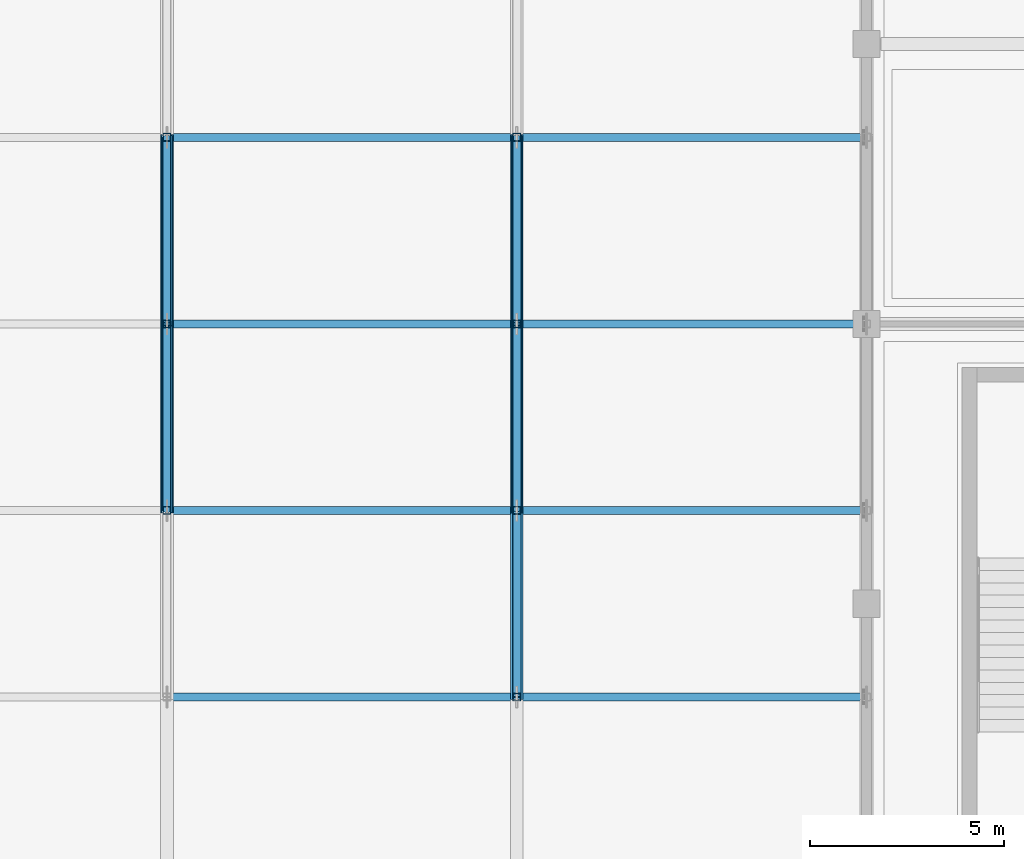
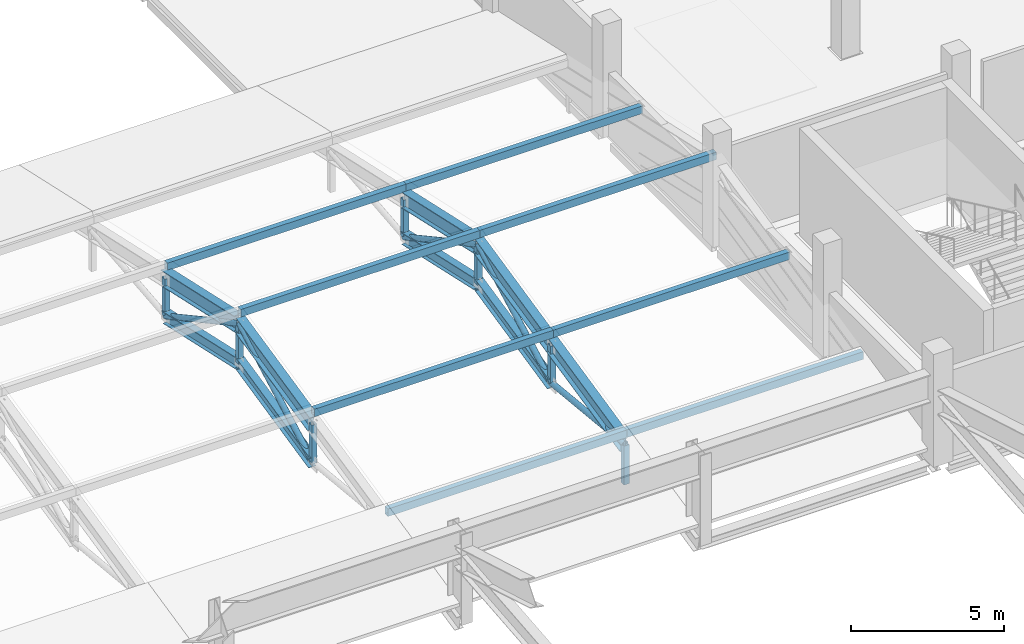
# One storey, part 25 of 151: 29 members.
"""IFC4 building model written with IfcOpenShell, lengths in metres."""

from ifc_helpers import new_model, si_unit, direction, frame, origin, origin_2d, place, context, subcontext, project, spatial, hollow_rectangle, hollow_circle, i_section, extrude, material, material_profile, profile_set, type_object, element, save


model = new_model("IFC4")

# Units and contexts
model_context = context("Model", 3, precision=1e-05, world=origin(), true_north=direction((0.0, 1.0)))
body_context = subcontext(model_context, "Body", "Model", "MODEL_VIEW")
ifc_project = project(units=[si_unit("LENGTHUNIT", "METRE"), si_unit("AREAUNIT", "SQUARE_METRE"), si_unit("VOLUMEUNIT", "CUBIC_METRE"), si_unit("PLANEANGLEUNIT", "RADIAN"), si_unit("MASSUNIT", "GRAM", prefix="KILO")], contexts=[model_context])

# Site, building, storey
site_placement = place(None, origin())
site = spatial("IfcSite", under=ifc_project, at=site_placement, CompositionType="ELEMENT")
building_placement = place(site_placement, origin())
building = spatial("IfcBuilding", under=site, at=building_placement, Name="Celestram Park Convention Centre", CompositionType="ELEMENT")
storey_placement = place(building_placement, frame((0.0, 0.0, 10.800048828125)))
storey = spatial("IfcBuildingStorey", under=building, at=storey_placement, Name="L02", CompositionType="ELEMENT", Elevation=10.800048828125)

# Members
ifc_material_1 = material(Name="Steel ASTM A500 Grade C", Category="steel")
ifc_material_profile_1 = material_profile(ifc_material_1, hollow_circle(Radius=0.109619140625, WallThickness=0.008056640625, at=origin_2d()), Name="CHS219X8")
ifc_profile_set_1 = profile_set([ifc_material_profile_1], Name="Steel ASTM A500 Grade C")
member_type_1 = type_object("IfcMemberType", Name="STR-BRC-CHS219", PredefinedType="BRACE", material=ifc_profile_set_1)
member_1_placement = place(storey_placement, frame((18.0, 117.60009765625, 0.34716796875), z_axis=(0.0, 0.878001368363, 0.478658121369), x_axis=(-1.0, 0.0, 0.0)))
element("IfcMember", 1, at=member_1_placement, inside=storey, type_object=member_type_1, Name="WPV arch web diagonal", PredefinedType="BRACE", context=body_context, shape_type="SweptSolid", body=[
    extrude(hollow_circle(Radius=0.109619140625, WallThickness=0.008056640625, at=origin_2d()), origin(), (0.0, 0.0, 1.0), 5.466796875),
])
member_2_placement = place(storey_placement, frame((18.0, 122.39990234375, 2.9638671875), z_axis=(0.0, 0.878011599809, -0.478639353377), x_axis=(-1.0, 0.0, 0.0)))
element("IfcMember", 2, at=member_2_placement, inside=storey, type_object=member_type_1, Name="WPV arch web diagonal", PredefinedType="BRACE", context=body_context, shape_type="SweptSolid", body=[
    extrude(hollow_circle(Radius=0.109619140625, WallThickness=0.008056640625, at=origin_2d()), origin(), (0.0, 0.0, 1.0), 5.467041015625),
])
member_3_placement = place(storey_placement, frame((27.0, 112.800048828125, 0.83056640625), z_axis=(0.0, 0.994967300399, -0.100200155373), x_axis=(-1.0, 0.0, 0.0)))
element("IfcMember", 3, at=member_3_placement, inside=storey, type_object=member_type_1, Name="WPV arch web diagonal", PredefinedType="BRACE", context=body_context, shape_type="SweptSolid", body=[
    extrude(hollow_circle(Radius=0.109619140625, WallThickness=0.008056640625, at=origin_2d()), origin(), (0.0, 0.0, 1.0), 4.82421875),
])
member_4_placement = place(storey_placement, frame((27.0, 117.60009765625, 0.34716796875), z_axis=(0.0, 0.878001368363, 0.478658121369), x_axis=(-1.0, 0.0, 0.0)))
element("IfcMember", 4, at=member_4_placement, inside=storey, type_object=member_type_1, Name="WPV arch web diagonal", PredefinedType="BRACE", context=body_context, shape_type="SweptSolid", body=[
    extrude(hollow_circle(Radius=0.109619140625, WallThickness=0.008056640625, at=origin_2d()), origin(), (0.0, 0.0, 1.0), 5.466796875),
])
member_5_placement = place(storey_placement, frame((27.0, 122.39990234375, 2.9638671875), z_axis=(0.0, 0.878011599809, -0.478639353377), x_axis=(-1.0, 0.0, 0.0)))
element("IfcMember", 5, at=member_5_placement, inside=storey, type_object=member_type_1, Name="WPV arch web diagonal", PredefinedType="BRACE", context=body_context, shape_type="SweptSolid", body=[
    extrude(hollow_circle(Radius=0.109619140625, WallThickness=0.008056640625, at=origin_2d()), origin(), (0.0, 0.0, 1.0), 5.467041015625),
])
ifc_material_2 = material(Name="Steel ASTM A992 Grade 50", Category="steel")
ifc_material_profile_2 = material_profile(ifc_material_2, i_section(OverallWidth=0.281982421875, OverallDepth=0.467041015625, WebThickness=0.01220703125, FlangeThickness=0.01953125, at=origin_2d()), Name="W18X86")
ifc_profile_set_2 = profile_set([ifc_material_profile_2], Name="Steel ASTM A992 Grade 50")
member_type_2 = type_object("IfcMemberType", Name="STR-CHD-W18X86", PredefinedType="CHORD", material=ifc_profile_set_2)
member_6_placement = place(storey_placement, frame((18.0, 117.60009765625, 0.34716796875), z_axis=(0.0, 0.976175375741, 0.216983031129), x_axis=(-1.0, 0.0, 0.0)))
element("IfcMember", 6, at=member_6_placement, inside=storey, type_object=member_type_2, Name="WPV arch bottom chord", PredefinedType="CHORD", context=body_context, shape_type="SweptSolid", body=[
    extrude(i_section(OverallWidth=0.281982421875, OverallDepth=0.467041015625, WebThickness=0.01220703125, FlangeThickness=0.01953125, at=origin_2d()), origin(), (0.0, 0.0, 1.0), 4.9169921875),
])
member_7_placement = place(storey_placement, frame((18.0, 122.39990234375, 1.4140625), z_axis=(0.0, 0.976177713309, -0.216972514478), x_axis=(-1.0, 0.0, 0.0)))
element("IfcMember", 7, at=member_7_placement, inside=storey, type_object=member_type_2, Name="WPV arch bottom chord", PredefinedType="CHORD", context=body_context, shape_type="SweptSolid", body=[
    extrude(i_section(OverallWidth=0.281982421875, OverallDepth=0.467041015625, WebThickness=0.01220703125, FlangeThickness=0.01953125, at=origin_2d()), origin(), (0.0, 0.0, 1.0), 4.917236328125),
])
member_8_placement = place(storey_placement, frame((27.0, 117.60009765625, 0.34716796875), z_axis=(0.0, 0.976175375741, 0.216983031129), x_axis=(-1.0, 0.0, 0.0)))
element("IfcMember", 8, at=member_8_placement, inside=storey, type_object=member_type_2, Name="WPV arch bottom chord", PredefinedType="CHORD", context=body_context, shape_type="SweptSolid", body=[
    extrude(i_section(OverallWidth=0.281982421875, OverallDepth=0.467041015625, WebThickness=0.01220703125, FlangeThickness=0.01953125, at=origin_2d()), origin(), (0.0, 0.0, 1.0), 4.9169921875),
])
member_9_placement = place(storey_placement, frame((27.0, 122.39990234375, 1.4140625), z_axis=(0.0, 0.976177713309, -0.216972514478), x_axis=(-1.0, 0.0, 0.0)))
element("IfcMember", 9, at=member_9_placement, inside=storey, type_object=member_type_2, Name="WPV arch bottom chord", PredefinedType="CHORD", context=body_context, shape_type="SweptSolid", body=[
    extrude(i_section(OverallWidth=0.281982421875, OverallDepth=0.467041015625, WebThickness=0.01220703125, FlangeThickness=0.01953125, at=origin_2d()), origin(), (0.0, 0.0, 1.0), 4.917236328125),
])
ifc_material_profile_3 = material_profile(ifc_material_2, i_section(OverallWidth=0.327880859375, OverallDepth=0.6220703125, WebThickness=0.015380859375, FlangeThickness=0.0244140625, at=origin_2d()), Name="W24X131")
ifc_profile_set_3 = profile_set([ifc_material_profile_3], Name="Steel ASTM A992 Grade 50")
member_type_3 = type_object("IfcMemberType", Name="STR-CHD-W24X131", PredefinedType="CHORD", material=ifc_profile_set_3)
member_10_placement = place(storey_placement, frame((18.0, 117.60009765625, 1.897216796875), z_axis=(0.0, 0.976185891854, 0.216935715235), x_axis=(-1.0, 0.0, 0.0)))
element("IfcMember", 10, at=member_10_placement, inside=storey, type_object=member_type_3, Name="WPV arch top chord", PredefinedType="CHORD", context=body_context, shape_type="SweptSolid", body=[
    extrude(i_section(OverallWidth=0.327880859375, OverallDepth=0.6220703125, WebThickness=0.015380859375, FlangeThickness=0.0244140625, at=origin_2d()), origin(), (0.0, 0.0, 1.0), 4.9169921875),
])
for number, where, z_axis, x_axis, name in (
    (11, (18.0, 122.39990234375, 2.9638671875), (0.0, 0.976188228429, -0.216925200651), (-1.0, 0.0, 0.0), "WPV arch top chord"),
    (12, (27.0, 112.800048828125, 0.83056640625), (0.0, 0.976188228429, 0.216925200651), (-1.0, 0.0, 0.0), "WPV arch top chord"),
):
    element("IfcMember", number, at=place(storey_placement, frame(where, z_axis=z_axis, x_axis=x_axis)), inside=storey, type_object=member_type_3, Name=name, PredefinedType="CHORD", context=body_context, shape_type="SweptSolid", body=[
        extrude(i_section(OverallWidth=0.327880859375, OverallDepth=0.6220703125, WebThickness=0.015380859375, FlangeThickness=0.0244140625, at=origin_2d()), origin(), (0.0, 0.0, 1.0), 4.917236328125),
    ])
member_11_placement = place(storey_placement, frame((27.0, 117.60009765625, 1.897216796875), z_axis=(0.0, 0.976185891854, 0.216935715235), x_axis=(-1.0, 0.0, 0.0)))
element("IfcMember", 13, at=member_11_placement, inside=storey, type_object=member_type_3, Name="WPV arch top chord", PredefinedType="CHORD", context=body_context, shape_type="SweptSolid", body=[
    extrude(i_section(OverallWidth=0.327880859375, OverallDepth=0.6220703125, WebThickness=0.015380859375, FlangeThickness=0.0244140625, at=origin_2d()), origin(), (0.0, 0.0, 1.0), 4.9169921875),
])
member_12_placement = place(storey_placement, frame((27.0, 122.39990234375, 2.9638671875), z_axis=(0.0, 0.976188228429, -0.216925200651), x_axis=(-1.0, 0.0, 0.0)))
element("IfcMember", 14, at=member_12_placement, inside=storey, type_object=member_type_3, Name="WPV arch top chord", PredefinedType="CHORD", context=body_context, shape_type="SweptSolid", body=[
    extrude(i_section(OverallWidth=0.327880859375, OverallDepth=0.6220703125, WebThickness=0.015380859375, FlangeThickness=0.0244140625, at=origin_2d()), origin(), (0.0, 0.0, 1.0), 4.917236328125),
])
ifc_material_profile_4 = material_profile(ifc_material_1, hollow_rectangle(XDim=0.199951171875, YDim=0.300048828125, WallThickness=0.011962890625, at=origin_2d()), Name="HSS300X200X12")
ifc_profile_set_4 = profile_set([ifc_material_profile_4], Name="Steel ASTM A500 Grade C")
member_type_4 = type_object("IfcMemberType", Name="STR-RFT-HSS300X200", PredefinedType="RAFTER", material=ifc_profile_set_4)
for number, where, z_axis, x_axis, name in (
    (15, (18.0, 112.800048828125, 1.291748046875), (1.0, 0.0, 0.0), (0.0, 1.0, 0.0), "WPV roof purlin"),
    (16, (18.0, 117.60009765625, 2.358154296875), (1.0, 0.0, 0.0), (0.0, 1.0, 0.0), "WPV roof purlin"),
    (17, (18.0, 122.39990234375, 3.425048828125), (1.0, 0.0, 0.0), (0.0, 1.0, 0.0), "WPV roof purlin"),
    (18, (18.0, 127.199951171875, 2.358154296875), (1.0, 0.0, 0.0), (0.0, 1.0, 0.0), "WPV roof purlin"),
):
    element("IfcMember", number, at=place(storey_placement, frame(where, z_axis=z_axis, x_axis=x_axis)), inside=storey, type_object=member_type_4, Name=name, PredefinedType="RAFTER", context=body_context, shape_type="SweptSolid", body=[
        extrude(hollow_rectangle(XDim=0.199951171875, YDim=0.300048828125, WallThickness=0.011962890625, at=origin_2d()), origin(), (0.0, 0.0, 1.0), 9.0),
    ])
for number, where, z_axis, x_axis, name in (
    (19, (27.0, 112.800048828125, 1.291748046875), (1.0, 0.0, 0.0), (0.0, 1.0, 0.0), "WPV roof purlin"),
    (20, (27.0, 117.60009765625, 2.358154296875), (1.0, 0.0, 0.0), (0.0, 1.0, 0.0), "WPV roof purlin"),
    (21, (27.0, 122.39990234375, 3.425048828125), (1.0, 0.0, 0.0), (0.0, 1.0, 0.0), "WPV roof purlin"),
    (22, (27.0, 127.199951171875, 2.358154296875), (1.0, 0.0, 0.0), (0.0, 1.0, 0.0), "WPV roof purlin"),
):
    element("IfcMember", number, at=place(storey_placement, frame(where, z_axis=z_axis, x_axis=x_axis)), inside=storey, type_object=member_type_4, Name=name, PredefinedType="RAFTER", context=body_context, shape_type="SweptSolid", body=[
        extrude(hollow_rectangle(XDim=0.199951171875, YDim=0.300048828125, WallThickness=0.011962890625, at=origin_2d()), origin(), (0.0, 0.0, 1.0), 8.919921875),
    ])
ifc_material_profile_5 = material_profile(ifc_material_1, hollow_rectangle(XDim=0.199951171875, YDim=0.199951171875, WallThickness=0.010009765625, at=origin_2d()), Name="HSS200X200X10")
ifc_profile_set_5 = profile_set([ifc_material_profile_5], Name="Steel ASTM A500 Grade C")
member_type_5 = type_object("IfcMemberType", Name="STR-STR-HSS200", PredefinedType="STRUT", material=ifc_profile_set_5)
member_13_placement = place(storey_placement, frame((18.0, 117.60009765625, 0.34716796875), z_axis=(0.0, 0.0, 1.0), x_axis=(1.0, 0.0, 0.0)))
element("IfcMember", 23, at=member_13_placement, inside=storey, type_object=member_type_5, Name="WPV arch vertical strut", PredefinedType="STRUT", context=body_context, shape_type="SweptSolid", body=[
    extrude(hollow_rectangle(XDim=0.199951171875, YDim=0.199951171875, WallThickness=0.010009765625, at=origin_2d()), origin(), (0.0, 0.0, 1.0), 1.550048828125),
])
member_14_placement = place(storey_placement, frame((18.0, 122.39990234375, 1.4140625), z_axis=(0.0, 0.0, 1.0), x_axis=(1.0, 0.0, 0.0)))
element("IfcMember", 24, at=member_14_placement, inside=storey, type_object=member_type_5, Name="WPV arch vertical strut", PredefinedType="STRUT", context=body_context, shape_type="SweptSolid", body=[
    extrude(hollow_rectangle(XDim=0.199951171875, YDim=0.199951171875, WallThickness=0.010009765625, at=origin_2d()), origin(), (0.0, 0.0, 1.0), 1.5498046875),
])
member_15_placement = place(storey_placement, frame((18.0, 127.199951171875, 0.34716796875), z_axis=(0.0, 0.0, 1.0), x_axis=(1.0, 0.0, 0.0)))
element("IfcMember", 25, at=member_15_placement, inside=storey, type_object=member_type_5, Name="WPV arch vertical strut", PredefinedType="STRUT", context=body_context, shape_type="SweptSolid", body=[
    extrude(hollow_rectangle(XDim=0.199951171875, YDim=0.199951171875, WallThickness=0.010009765625, at=origin_2d()), origin(), (0.0, 0.0, 1.0), 1.550048828125),
])
member_16_placement = place(storey_placement, frame((27.0, 112.800048828125, -0.71923828125), z_axis=(0.0, 0.0, 1.0), x_axis=(1.0, 0.0, 0.0)))
element("IfcMember", 26, at=member_16_placement, inside=storey, type_object=member_type_5, Name="WPV arch vertical strut", PredefinedType="STRUT", context=body_context, shape_type="SweptSolid", body=[
    extrude(hollow_rectangle(XDim=0.199951171875, YDim=0.199951171875, WallThickness=0.010009765625, at=origin_2d()), origin(), (0.0, 0.0, 1.0), 1.5498046875),
])
member_17_placement = place(storey_placement, frame((27.0, 117.60009765625, 0.34716796875), z_axis=(0.0, 0.0, 1.0), x_axis=(1.0, 0.0, 0.0)))
element("IfcMember", 27, at=member_17_placement, inside=storey, type_object=member_type_5, Name="WPV arch vertical strut", PredefinedType="STRUT", context=body_context, shape_type="SweptSolid", body=[
    extrude(hollow_rectangle(XDim=0.199951171875, YDim=0.199951171875, WallThickness=0.010009765625, at=origin_2d()), origin(), (0.0, 0.0, 1.0), 1.550048828125),
])
member_18_placement = place(storey_placement, frame((27.0, 122.39990234375, 1.4140625), z_axis=(0.0, 0.0, 1.0), x_axis=(1.0, 0.0, 0.0)))
element("IfcMember", 28, at=member_18_placement, inside=storey, type_object=member_type_5, Name="WPV arch vertical strut", PredefinedType="STRUT", context=body_context, shape_type="SweptSolid", body=[
    extrude(hollow_rectangle(XDim=0.199951171875, YDim=0.199951171875, WallThickness=0.010009765625, at=origin_2d()), origin(), (0.0, 0.0, 1.0), 1.5498046875),
])
member_19_placement = place(storey_placement, frame((27.0, 127.199951171875, 0.34716796875), z_axis=(0.0, 0.0, 1.0), x_axis=(1.0, 0.0, 0.0)))
element("IfcMember", 29, at=member_19_placement, inside=storey, type_object=member_type_5, Name="WPV arch vertical strut", PredefinedType="STRUT", context=body_context, shape_type="SweptSolid", body=[
    extrude(hollow_rectangle(XDim=0.199951171875, YDim=0.199951171875, WallThickness=0.010009765625, at=origin_2d()), origin(), (0.0, 0.0, 1.0), 1.550048828125),
])

save(model, "model.ifc")
